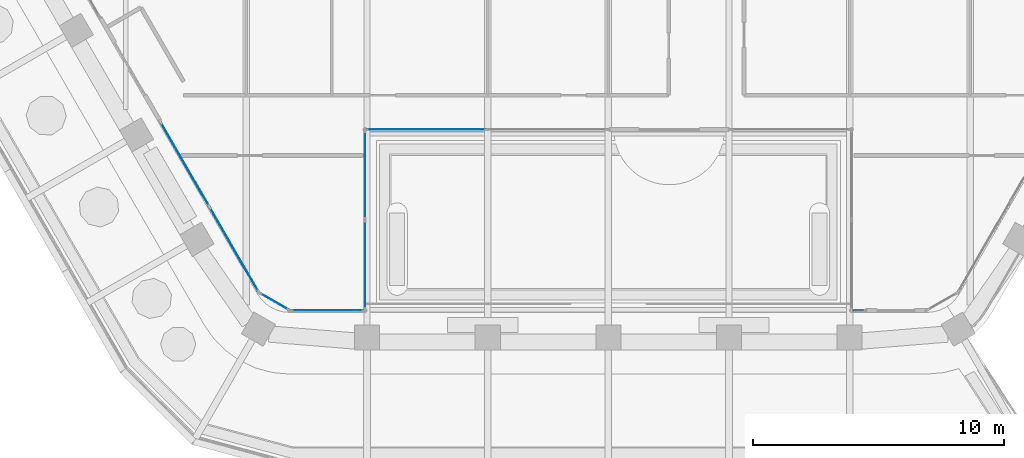
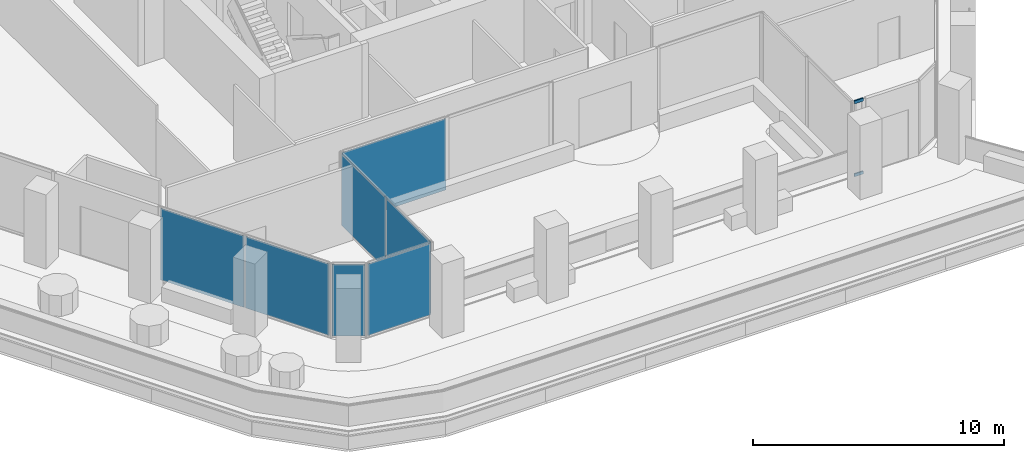
# One storey, part 8 of 18: 7 plates, 2 members, 6 elements without a shape of their own.
"""IFC4 building model written with IfcOpenShell, lengths in metres."""

from ifc_helpers import new_model, si_unit, direction, frame, origin, origin_2d, place, context, subcontext, project, spatial, rectangle, extrude, material, layer, layer_set, material_profile, profile_set, type_object, element, aggregate, save


model = new_model("IFC4")

# Units and contexts
model_context = context("Model", 3, precision=1e-05, world=origin(), true_north=direction((0.0, 1.0)))
body_context = subcontext(model_context, "Body", "Model", "MODEL_VIEW")
ifc_project = project(units=[si_unit("LENGTHUNIT", "METRE"), si_unit("AREAUNIT", "SQUARE_METRE"), si_unit("VOLUMEUNIT", "CUBIC_METRE"), si_unit("PLANEANGLEUNIT", "RADIAN"), si_unit("MASSUNIT", "GRAM", prefix="KILO")], contexts=[model_context])

# Site, building, storey
site_placement = place(None, origin())
site = spatial("IfcSite", under=ifc_project, at=site_placement, CompositionType="ELEMENT")
building_placement = place(site_placement, origin())
building = spatial("IfcBuilding", under=site, at=building_placement, Name="Kolab Exchange Tower", CompositionType="ELEMENT")
storey_placement = place(building_placement, frame((0.0, 0.0, 212.89990234375)))
storey = spatial("IfcBuildingStorey", under=building, at=storey_placement, Name="L46", CompositionType="ELEMENT", Elevation=212.89990234375)

# Curtain wall, members
ifc_material_1 = material(Name="Aluminium EN AW-6063 T6", Category="aluminium")
curtain_wall_type = type_object("IfcCurtainWallType", Name="UNITISED UPPER MID ZONE CURTAIN WALL", PredefinedType="NOTDEFINED", material=ifc_material_1)
curtain_wall_1_placement = place(storey_placement, origin())
curtain_wall_1 = element("IfcCurtainWall", 1, at=curtain_wall_1_placement, inside=storey, type_object=curtain_wall_type, Name="cw/L46/F4-l-1", PredefinedType="NOTDEFINED")
ifc_material_profile = material_profile(ifc_material_1, rectangle(XDim=0.06005859375, YDim=0.139892578125, at=origin_2d()), Name="RECT 60X140")
ifc_profile_set = profile_set([ifc_material_profile], Name="Aluminium EN AW-6063 T6")
member_type = type_object("IfcMemberType", Name="UNITISED UPPER MID ZONE TRANSOM 60 X 140", PredefinedType="USERDEFINED", material=ifc_profile_set)
member_1_placement = place(storey_placement, frame((10.14794921875, -23.361572265625, 0.030029296875), z_axis=(-1.0, 0.0, 0.0), x_axis=(0.0, -1.0, 0.0)))
member_1 = element("IfcMember", 2, at=member_1_placement, type_object=member_type, Name="CW3 transom 1.1", ObjectType="TRANSOM", PredefinedType="USERDEFINED", context=body_context, shape_type="SweptSolid", body=[
    extrude(rectangle(XDim=0.06005859375, YDim=0.139892578125, at=origin_2d()), origin(), (0.0, 0.0, 1.0), 0.407958984375),
])
member_2_placement = place(storey_placement, frame((10.14794921875, -23.361572265625, 3.570068359375), z_axis=(-1.0, 0.0, 0.0), x_axis=(0.0, -1.0, 0.0)))
member_2 = element("IfcMember", 3, at=member_2_placement, type_object=member_type, Name="CW3 transom 1.2", ObjectType="TRANSOM", PredefinedType="USERDEFINED", context=body_context, shape_type="SweptSolid", body=[
    extrude(rectangle(XDim=0.06005859375, YDim=0.139892578125, at=origin_2d()), origin(), (0.0, 0.0, 1.0), 0.407958984375),
])
aggregate(curtain_wall_1, [member_1, member_2])

# Curtain wall, plate
curtain_wall_2_placement = place(storey_placement, origin())
curtain_wall_2 = element("IfcCurtainWall", 4, at=curtain_wall_2_placement, inside=storey, type_object=curtain_wall_type, Name="cw/L46/F4-back-2", PredefinedType="NOTDEFINED")
ifc_material_2 = material(Name="Clear insulated glazing unit", Category="glass")
ifc_layer = layer(ifc_material_2, 0.028076171875)
ifc_layer_set = layer_set([ifc_layer], Name="Clear insulated glazing unit")
plate_type = type_object("IfcPlateType", Name="UNITISED UPPER MID ZONE GLASS PANEL 28", PredefinedType="CURTAIN_PANEL", material=ifc_layer_set)
plate_1_placement = place(storey_placement, frame((-7.2451171875, -16.16162109375, 0.06005859375), z_axis=(0.0, 0.0, 1.0), x_axis=(-1.0, 0.0, 0.0)))
plate_1 = element("IfcPlate", 5, at=plate_1_placement, type_object=plate_type, Name="CW3 panel 2.1", PredefinedType="CURTAIN_PANEL", context=body_context, shape_type="SweptSolid", body=[
    extrude(rectangle(XDim=4.75, YDim=0.028076171875, at=origin_2d()), origin(), (0.0, 0.0, 1.0), 3.47998046875),
])
aggregate(curtain_wall_2, [plate_1])

# Curtain wall, plates
curtain_wall_3_placement = place(storey_placement, origin())
curtain_wall_3 = element("IfcCurtainWall", 6, at=curtain_wall_3_placement, inside=storey, type_object=curtain_wall_type, Name="cw/L46/F4-rr-1", PredefinedType="NOTDEFINED")
plate_2_placement = place(storey_placement, frame((-9.679931640625, -17.9765625, 0.06005859375), z_axis=(0.0, 0.0, 1.0), x_axis=(0.0, -1.0, 0.0)))
plate_2 = element("IfcPlate", 7, at=plate_2_placement, type_object=plate_type, Name="CW3 panel 1.1", PredefinedType="CURTAIN_PANEL", context=body_context, shape_type="SweptSolid", body=[
    extrude(rectangle(XDim=3.510009765625, YDim=0.028076171875, at=origin_2d()), origin(), (0.0, 0.0, 1.0), 3.47998046875),
])
plate_3_placement = place(storey_placement, frame((-9.679931640625, -21.546630859375, 0.06005859375), z_axis=(0.0, 0.0, 1.0), x_axis=(0.0, -1.0, 0.0)))
plate_3 = element("IfcPlate", 8, at=plate_3_placement, type_object=plate_type, Name="CW3 panel 2.1", PredefinedType="CURTAIN_PANEL", context=body_context, shape_type="SweptSolid", body=[
    extrude(rectangle(XDim=3.510009765625, YDim=0.028076171875, at=origin_2d()), origin(), (0.0, 0.0, 1.0), 3.47998046875),
])
aggregate(curtain_wall_3, [plate_2, plate_3])

# Curtain wall, plate
curtain_wall_4_placement = place(storey_placement, origin())
curtain_wall_4 = element("IfcCurtainWall", 9, at=curtain_wall_4_placement, inside=storey, type_object=curtain_wall_type, Name="cw/L46/F4-r-1", PredefinedType="NOTDEFINED")
plate_4_placement = place(storey_placement, frame((-11.174072265625, -23.361572265625, 0.06005859375), z_axis=(0.0, 0.0, 1.0), x_axis=(-1.0, 0.0, 0.0)))
plate_4 = element("IfcPlate", 10, at=plate_4_placement, type_object=plate_type, Name="CW3 panel 1.1", PredefinedType="CURTAIN_PANEL", context=body_context, shape_type="SweptSolid", body=[
    extrude(rectangle(XDim=2.867919921875, YDim=0.028076171875, at=origin_2d()), origin(), (0.0, 0.0, 1.0), 3.47998046875),
])
aggregate(curtain_wall_4, [plate_4])

# Curtain wall, plates
curtain_wall_5_placement = place(storey_placement, origin())
curtain_wall_5 = element("IfcCurtainWall", 11, at=curtain_wall_5_placement, inside=storey, type_object=curtain_wall_type, Name="cw/L46/F5-1", PredefinedType="NOTDEFINED")
plate_5_placement = place(storey_placement, frame((-14.888671875, -20.93505859375, 0.06005859375), z_axis=(0.0, 0.0, 1.0), x_axis=(-0.500000031681, 0.866025385493, 0.0)))
plate_5 = element("IfcPlate", 12, at=plate_5_placement, type_object=plate_type, Name="CW3 panel 1.1", PredefinedType="CURTAIN_PANEL", context=body_context, shape_type="SweptSolid", body=[
    extrude(rectangle(XDim=3.843994140625, YDim=0.028076171875, at=origin_2d()), origin(), (0.0, 0.0, 1.0), 3.47998046875),
])
plate_6_placement = place(storey_placement, frame((-16.840576171875, -17.55419921875, 0.06005859375), z_axis=(0.0, 0.0, 1.0), x_axis=(-0.500000031681, 0.866025385493, 0.0)))
plate_6 = element("IfcPlate", 13, at=plate_6_placement, type_object=plate_type, Name="CW3 panel 2.1", PredefinedType="CURTAIN_PANEL", context=body_context, shape_type="SweptSolid", body=[
    extrude(rectangle(XDim=3.843994140625, YDim=0.028076171875, at=origin_2d()), origin(), (0.0, 0.0, 1.0), 3.47998046875),
])
aggregate(curtain_wall_5, [plate_5, plate_6])

# Curtain wall, plate
curtain_wall_6_placement = place(storey_placement, origin())
curtain_wall_6 = element("IfcCurtainWall", 14, at=curtain_wall_6_placement, inside=storey, type_object=curtain_wall_type, Name="cw/L46/F4F5-corner", PredefinedType="NOTDEFINED")
plate_7_placement = place(storey_placement, frame((-13.28271484375, -23.006591796875, 0.06005859375), z_axis=(0.0, 0.0, 1.0), x_axis=(-0.866025390869, 0.50000002237, 0.0)))
plate_7 = element("IfcPlate", 15, at=plate_7_placement, type_object=plate_type, Name="CW3 panel 1.1", PredefinedType="CURTAIN_PANEL", context=body_context, shape_type="SweptSolid", body=[
    extrude(rectangle(XDim=1.300048828125, YDim=0.028076171875, at=origin_2d()), origin(), (0.0, 0.0, 1.0), 3.47998046875),
])
aggregate(curtain_wall_6, [plate_7])

save(model, "model.ifc")
